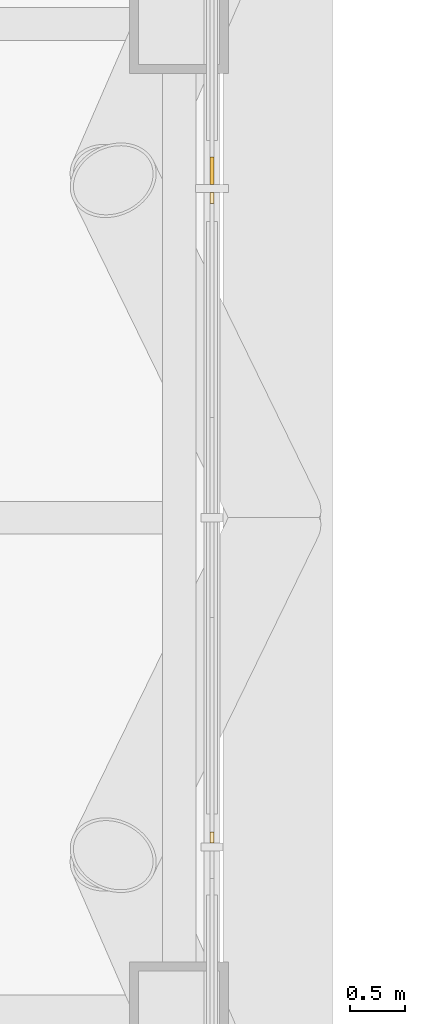
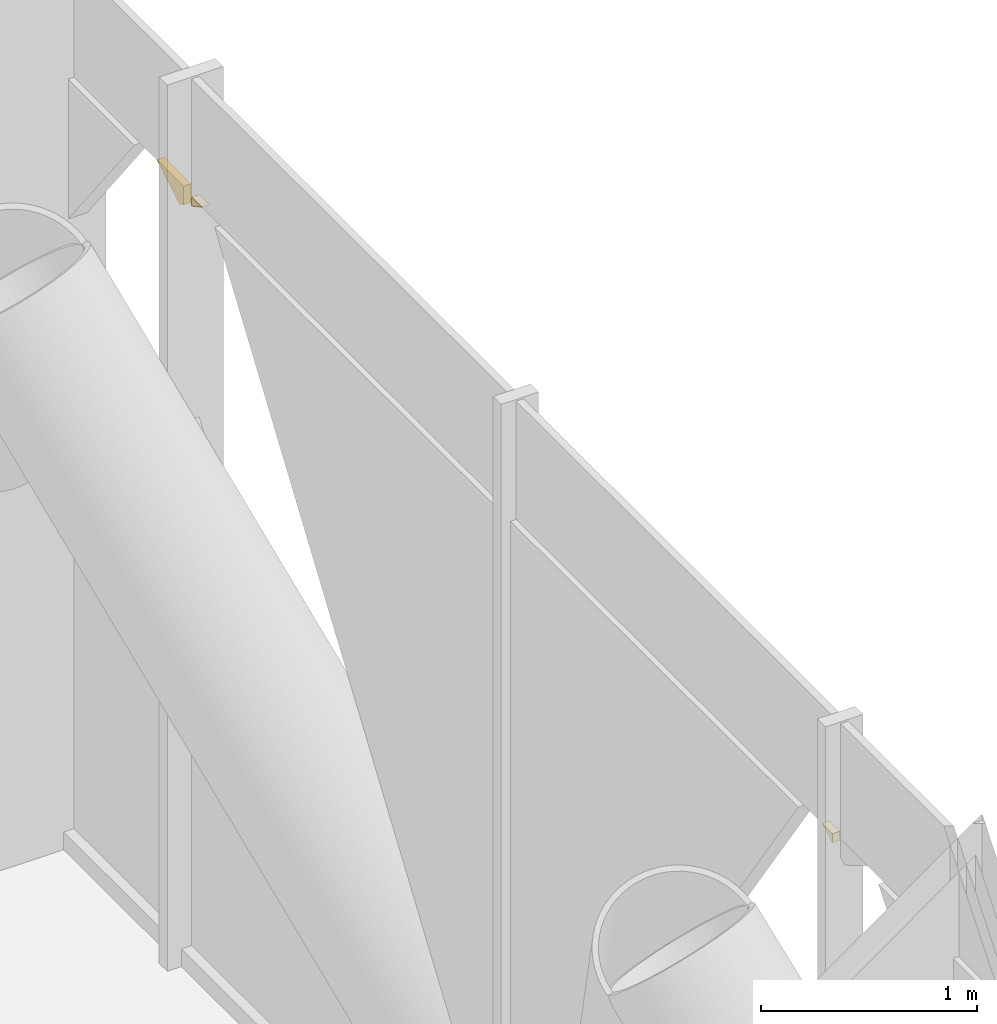
# One storey, part 22 of 26: 3 coverings.
"""IFC4 building model written with IfcOpenShell, lengths in metres."""

import ifcopenshell
import ifcopenshell.guid

model = None  # the IFC model being written
_history = None  # IfcOwnerHistory: only IFC2X3 demands one
_inside = {}  # id of a spatial element -> (the spatial element, [elements in it])
_under = {}  # id of a project, library or spatial element -> (it, [spatial elements below it])
_declared = {}  # id of a project -> (the project, [libraries it declares])
_typed = {}  # id of a type object -> (the type object, [elements of that type])
_made_of = {}  # id of a material, layer set ... -> (it, [elements and type objects made of it])


def new_model(schema):
    """Start an empty IFC model of exactly this schema.

    Asked for "IFC4X3", IfcOpenShell would pick the latest addendum, in which some entities
    have other attributes; the version numbers below select the first issue.
    IFC2X3 requires an IfcOwnerHistory on every rooted entity: one is made here for all.
    """
    global model, _history
    if schema == "IFC4X3":
        model = ifcopenshell.file(schema_version=(4, 3, 0, 0))
    else:
        model = ifcopenshell.file(schema=schema)
    _inside.clear()
    _under.clear()
    _declared.clear()
    _typed.clear()
    _made_of.clear()
    _history = None
    if model.schema == "IFC2X3":
        org = make("IfcOrganization", Name="unknown")
        user = make(
            "IfcPersonAndOrganization",
            ThePerson=make("IfcPerson", FamilyName="unknown"),
            TheOrganization=org,
        )
        app = make(
            "IfcApplication",
            ApplicationDeveloper=org,
            Version="unknown",
            ApplicationFullName="unknown",
            ApplicationIdentifier="unknown",
        )
        _history = make(
            "IfcOwnerHistory",
            OwningUser=user,
            OwningApplication=app,
            ChangeAction="ADDED",
            CreationDate=0,
        )
    return model


def make(cls, **values):
    """One entity of the class cls with the attributes given. An attribute that is None is left unset."""
    return model.create_entity(
        cls, **{name: value for name, value in values.items() if value is not None}
    )


def rooted(cls, **values):
    """An entity with a GlobalId (a new one), such as an element, a storey or a relation."""
    return make(cls, GlobalId=ifcopenshell.guid.new(), OwnerHistory=_history, **values)


def si_unit(unit_type, name, prefix=None):
    """IfcSIUnit, for example si_unit("LENGTHUNIT", "METRE", prefix="MILLI")."""
    return make("IfcSIUnit", UnitType=unit_type, Prefix=prefix, Name=name)


def assignment(units):
    """IfcUnitAssignment: the units of a project."""
    return None if units is None else make("IfcUnitAssignment", Units=units)


def point(xyz):
    """IfcCartesianPoint."""
    return None if xyz is None else make("IfcCartesianPoint", Coordinates=xyz)


def direction(xyz):
    """IfcDirection."""
    return None if xyz is None else make("IfcDirection", DirectionRatios=xyz)


def frame(location, z_axis=None, x_axis=None):
    """IfcAxis2Placement3D, a coordinate frame: its origin and axes. An axis left out is left unset."""
    return make(
        "IfcAxis2Placement3D",
        Location=point(location),
        Axis=direction(z_axis),
        RefDirection=direction(x_axis),
    )


def origin():
    """The frame at (0, 0, 0) with its axes left unset."""
    return frame((0.0, 0.0, 0.0))


def place(relative_to, where):
    """IfcLocalPlacement: puts the frame where relative to a parent placement (None: the world)."""
    return make(
        "IfcLocalPlacement", PlacementRelTo=relative_to, RelativePlacement=where
    )


def context(
    kind, dimensions, precision=None, world=None, true_north=None, identifier=None
):
    """IfcGeometricRepresentationContext, for example the 3D "Model" context."""
    return make(
        "IfcGeometricRepresentationContext",
        ContextIdentifier=identifier,
        ContextType=kind,
        CoordinateSpaceDimension=dimensions,
        Precision=precision,
        WorldCoordinateSystem=world,
        TrueNorth=true_north,
    )


def subcontext(parent, identifier, kind, view, scale=None):
    """IfcGeometricRepresentationSubContext, for example "Body" below "Model"."""
    return make(
        "IfcGeometricRepresentationSubContext",
        ContextIdentifier=identifier,
        ContextType=kind,
        ParentContext=parent,
        TargetScale=scale,
        TargetView=view,
    )


def project(units=None, contexts=None):
    """IfcProject with its units and contexts."""
    return rooted(
        "IfcProject",
        Name="project",
        RepresentationContexts=contexts,
        UnitsInContext=assignment(units),
    )


def spatial(cls, under=None, at=None, **own):
    """A site, building, storey or space (cls), placed at a placement, below another one or the project."""
    s = rooted(cls, ObjectPlacement=at, **own)
    if under is not None:
        _under.setdefault(under.id(), (under, []))[1].append(s)
    return s


def polyline(points):
    """IfcPolyline through the points."""
    return make("IfcPolyline", Points=[point(p) for p in points])


def outline(outer, holes=None, kind="AREA"):
    """IfcArbitraryClosedProfileDef: a profile drawn as a closed curve; with holes, ...WithVoids."""
    if holes is None:
        return make("IfcArbitraryClosedProfileDef", ProfileType=kind, OuterCurve=outer)
    return make(
        "IfcArbitraryProfileDefWithVoids",
        ProfileType=kind,
        OuterCurve=outer,
        InnerCurves=holes,
    )


def extrude(swept, where, along, depth):
    """IfcExtrudedAreaSolid: the profile swept, set in the frame where, extruded along a direction by depth."""
    return make(
        "IfcExtrudedAreaSolid",
        SweptArea=swept,
        Position=where,
        ExtrudedDirection=direction(along),
        Depth=depth,
    )


def shape(context_of_items, identifier, shape_type, items):
    """IfcShapeRepresentation: the items that make up one representation, for example the "Body"."""
    return make(
        "IfcShapeRepresentation",
        ContextOfItems=context_of_items,
        RepresentationIdentifier=identifier,
        RepresentationType=shape_type,
        Items=items,
    )


def material(Name=None, Category=None):
    """IfcMaterial."""
    return make("IfcMaterial", Name=Name, Category=Category)


def layer(
    of_material, thickness, ventilated=None, Name=None, Category=None, Priority=None
):
    """IfcMaterialLayer: one layer of a wall or slab, of a material (None: an air gap)."""
    return make(
        "IfcMaterialLayer",
        Material=of_material,
        LayerThickness=thickness,
        IsVentilated=ventilated,
        Name=Name,
        Category=Category,
        Priority=Priority,
    )


def layer_set(layers, Name=None):
    """IfcMaterialLayerSet."""
    return make("IfcMaterialLayerSet", MaterialLayers=layers, LayerSetName=Name)


def made_of(thing, what):
    """Note that an element or type object is made of a material, layer set ...; save() writes the relation."""
    if what is not None:
        _made_of.setdefault(what.id(), (what, []))[1].append(thing)
    return thing


def type_object(cls, material=None, **own):
    """A type object (cls), such as IfcWallType, which elements share."""
    return made_of(rooted(cls, **own), material)


def element(
    cls,
    number,
    at=None,
    inside=None,
    cuts=None,
    type_object=None,
    material=None,
    context=None,
    identifier="Body",
    shape_type=None,
    held_by="IfcProductDefinitionShape",
    body=None,
    shapes=None,
    **own,
):
    """One element of the class cls, such as IfcWall. Its Tag is "e" and its number.

    at: its placement. inside: the storey or other place that contains it. cuts: it is an
    opening in that element (IfcRelVoidsElement). A single representation is given by context,
    identifier, shape_type and body (its items); several are given by shapes. held_by: the class
    of the entity that holds the representations. save() writes the other relations.
    """
    e = rooted(cls, Tag="e%d" % number, ObjectPlacement=at, **own)
    if body is not None:
        shapes = [shape(context, identifier, shape_type, body)]
    if shapes is not None:
        e.Representation = make(held_by, Representations=shapes)
    if inside is not None:
        _inside.setdefault(inside.id(), (inside, []))[1].append(e)
    if cuts is not None:
        rooted(
            "IfcRelVoidsElement", RelatingBuildingElement=cuts, RelatedOpeningElement=e
        )
    if type_object is not None:
        _typed.setdefault(type_object.id(), (type_object, []))[1].append(e)
    return made_of(e, material)


def aggregate(whole, parts):
    """IfcRelAggregates: a whole, such as a stair, and the parts it consists of."""
    return rooted("IfcRelAggregates", RelatingObject=whole, RelatedObjects=parts)


def save(model, path):
    """Write the relations noted so far, then the file.

    IfcRelAggregates (storeys below a building ...), IfcRelContainedInSpatialStructure (elements
    in a storey), IfcRelDefinesByType, IfcRelAssociatesMaterial and IfcRelDeclares: one each for
    every whole, place, type object, material and project.
    """
    for whole, parts in _under.values():
        aggregate(whole, parts)
    for where, things in _inside.values():
        rooted(
            "IfcRelContainedInSpatialStructure",
            RelatedElements=things,
            RelatingStructure=where,
        )
    for kind, things in _typed.values():
        rooted("IfcRelDefinesByType", RelatedObjects=things, RelatingType=kind)
    for what, things in _made_of.values():
        rooted("IfcRelAssociatesMaterial", RelatedObjects=things, RelatingMaterial=what)
    for by, libraries in _declared.values():
        rooted("IfcRelDeclares", RelatingContext=by, RelatedDefinitions=libraries)
    model.write(path)


model = new_model("IFC4")

# Units and contexts
model_context = context("Model", 3, precision=1e-05, world=origin(), true_north=direction((0.0, 1.0)))
body_context = subcontext(model_context, "Body", "Model", "MODEL_VIEW")
ifc_project = project(units=[si_unit("LENGTHUNIT", "METRE"), si_unit("AREAUNIT", "SQUARE_METRE"), si_unit("VOLUMEUNIT", "CUBIC_METRE"), si_unit("PLANEANGLEUNIT", "RADIAN"), si_unit("MASSUNIT", "GRAM", prefix="KILO")], contexts=[model_context])

# Site, building, storey
site_placement = place(None, origin())
site = spatial("IfcSite", under=ifc_project, at=site_placement, CompositionType="ELEMENT")
building_placement = place(site_placement, origin())
building = spatial("IfcBuilding", under=site, at=building_placement, Name="Malebo Sky Hospital", CompositionType="ELEMENT")
storey_placement = place(building_placement, frame((0.0, 0.0, 95.0)))
storey = spatial("IfcBuildingStorey", under=building, at=storey_placement, Name="L22", CompositionType="ELEMENT", Elevation=95.0)

# Coverings
ifc_material = material(Name="Anodised aluminium, natural silver insulated infill panel", Category="aluminium")
ifc_layer = layer(ifc_material, 0.0400390625)
ifc_layer_set = layer_set([ifc_layer], Name="BRACE INFILL PANEL 40")
covering_type = type_object("IfcCoveringType", Name="BRACE INFILL PANEL 40", PredefinedType="CLADDING", material=ifc_layer_set)
covering_1_placement = place(storey_placement, frame((85.5, 65.16162109375, 4.21337890625), z_axis=(0.0, 0.0, 1.0), x_axis=(0.0, -1.0, 0.0)))
element("IfcCovering", 1, at=covering_1_placement, inside=storey, type_object=covering_type, Name="Brace infill panel 6.3", PredefinedType="CLADDING", context=body_context, shape_type="SweptSolid", body=[
    extrude(outline(polyline([(0.08837890625, 0.0), (0.1240234375, 0.018798828125), (0.1240234375, 0.124755859375), (-0.1240234375, 0.124755859375), (0.08837890625, 0.0)])), frame((0.0, 0.02001953125, 0.0), z_axis=(0.0, -1.0, 0.0), x_axis=(1.0, 0.0, 0.0)), (0.0, 0.0, 1.0), 0.0400390625),
])
covering_2_placement = place(storey_placement, frame((85.5, 64.9140625, 4.27197265625), z_axis=(0.0, 0.0, 1.0), x_axis=(0.0, -1.0, 0.0)))
element("IfcCovering", 2, at=covering_2_placement, inside=storey, type_object=covering_type, Name="Brace infill panel 7.3", PredefinedType="CLADDING", context=body_context, shape_type="SweptSolid", body=[
    extrude(outline(polyline([(-0.048583984375, 0.0), (0.048583984375, 0.051513671875), (-0.048583984375, 0.051513671875), (-0.048583984375, 0.0)])), frame((0.0, 0.02001953125, 0.0), z_axis=(0.0, -1.0, 0.0), x_axis=(1.0, 0.0, 0.0)), (0.0, 0.0, 1.0), 0.0400390625),
])
covering_3_placement = place(storey_placement, frame((85.5, 59.0859375, 4.27197265625), z_axis=(0.0, 0.0, 1.0), x_axis=(0.0, -1.0, 0.0)))
element("IfcCovering", 3, at=covering_3_placement, inside=storey, type_object=covering_type, Name="Brace infill panel 8.3", PredefinedType="CLADDING", context=body_context, shape_type="SweptSolid", body=[
    extrude(outline(polyline([(0.048583984375, 0.0), (0.048583984375, 0.051513671875), (-0.048583984375, 0.051513671875), (0.048583984375, 0.0)])), frame((0.0, 0.02001953125, 0.0), z_axis=(0.0, -1.0, 0.0), x_axis=(1.0, 0.0, 0.0)), (0.0, 0.0, 1.0), 0.0400390625),
])

save(model, "model.ifc")
